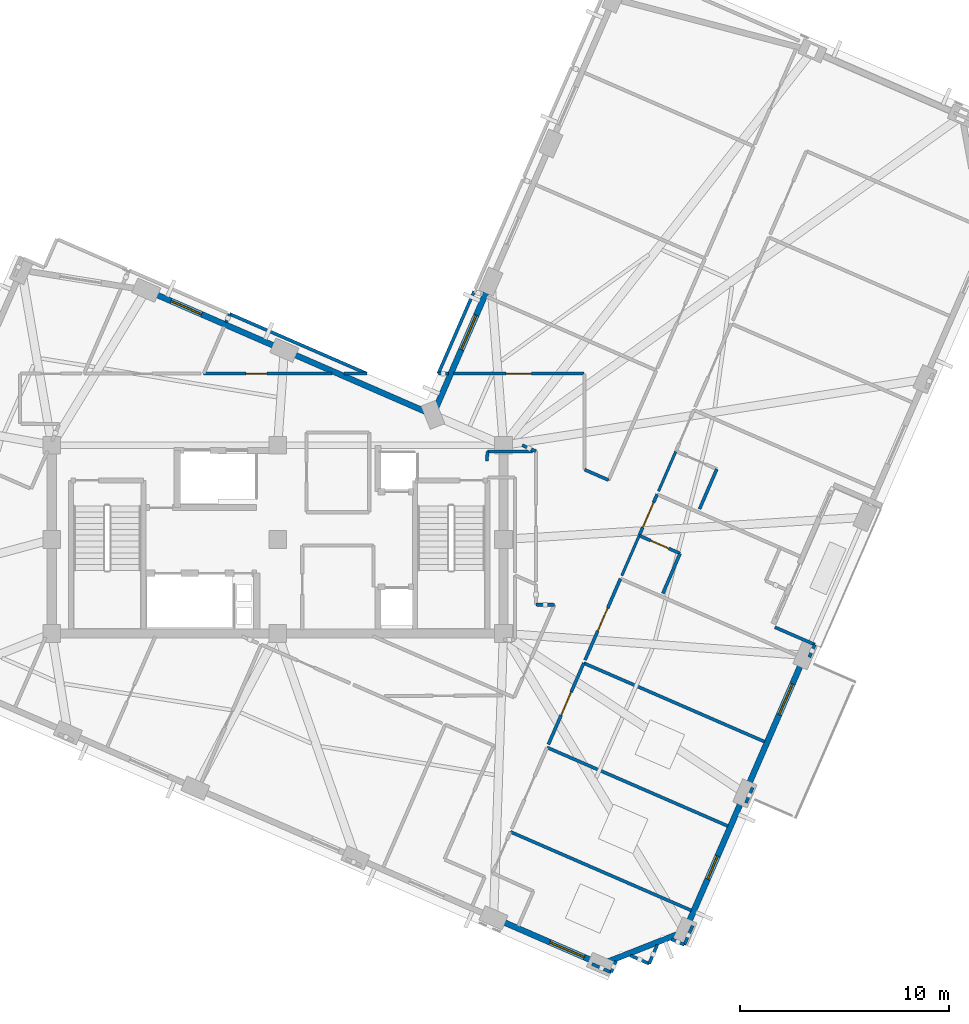
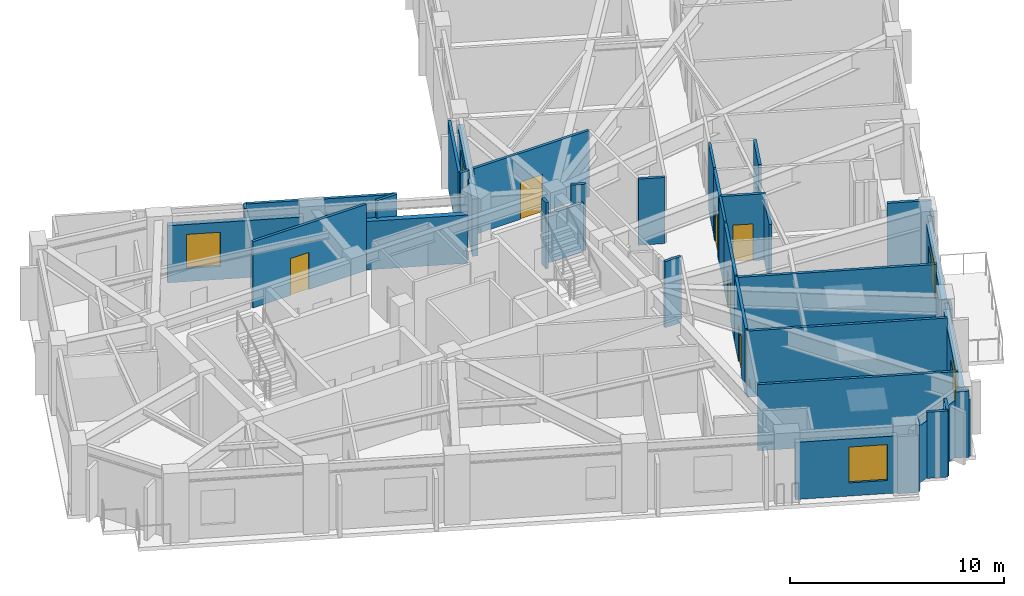
# One storey, part 6 of 11: 39 walls, 6 doors, 5 windows, 11 openings.
"""IFC4 building model written with IfcOpenShell, lengths in metres."""

from ifc_helpers import new_model, si_unit, direction, frame, frame_2d, origin, place, context, subcontext, project, spatial, rectangle, extrude, material, layer, layer_set, type_object, element, fill, save


model = new_model("IFC4")

# Units and contexts
model_context = context("Model", 3, precision=1e-05, world=origin(), true_north=direction((0.0, 1.0)))
body_context = subcontext(model_context, "Body", "Model", "MODEL_VIEW")
ifc_project = project(units=[si_unit("LENGTHUNIT", "METRE"), si_unit("AREAUNIT", "SQUARE_METRE"), si_unit("VOLUMEUNIT", "CUBIC_METRE"), si_unit("PLANEANGLEUNIT", "RADIAN"), si_unit("MASSUNIT", "GRAM", prefix="KILO")], contexts=[model_context])

# Site, building, storey
site_placement = place(None, origin())
site = spatial("IfcSite", under=ifc_project, at=site_placement, CompositionType="ELEMENT")
building_placement = place(site_placement, origin())
building = spatial("IfcBuilding", under=site, at=building_placement, Name="Gaonmaruhae Medical Tower", CompositionType="ELEMENT")
storey_placement = place(building_placement, frame((0.0, 0.0, 324.60009765625)))
storey = spatial("IfcBuildingStorey", under=building, at=storey_placement, Name="L78", CompositionType="ELEMENT", Elevation=324.60009765625)

# Wall, opening, window
ifc_material_1 = material(Name="Precast concrete C45/55", Category="concrete")
ifc_layer_1 = layer(ifc_material_1, 0.280029296875)
ifc_layer_set_1 = layer_set([ifc_layer_1], Name="Precast concrete C45/55")
wall_type_1 = type_object("IfcWallType", Name="EW-280 Upper Precast Masonry-Frame Facade Wall", PredefinedType="SOLIDWALL", material=ifc_layer_set_1)
wall_1_placement = place(storey_placement, frame((46.987548828125, -0.210205078125, 0.0), z_axis=(0.0, 0.0, 1.0), x_axis=(-0.398744230651, -0.917062178112, 0.0)))
wall_1 = element("IfcWall", 1, at=wall_1_placement, inside=storey, type_object=wall_type_1, Name="L78 Precast Masonry-Frame Wall S01-S02", PredefinedType="SOLIDWALL", context=body_context, shape_type="SweptSolid", body=[
    extrude(rectangle(XDim=6.405029296875, YDim=0.280029296875, at=frame_2d((3.20263671875, 0.0))), origin(), (0.0, 0.0, 1.0), 3.264892578125),
])
opening_1_placement = place(wall_1_placement, frame((2.88232421875, 0.0, 0.75)))
opening_1 = element("IfcOpeningElement", 2, at=opening_1_placement, cuts=wall_1, Name="Opening WN-05", PredefinedType="OPENING", context=body_context, shape_type="SweptSolid", body=[
    extrude(rectangle(XDim=1.199951171875, YDim=1.75, at=frame_2d((0.60009765625, 0.875))), frame((0.0, 0.14990234375, 0.0), z_axis=(0.0, -1.0, 0.0), x_axis=(1.0, 0.0, 0.0)), (0.0, 0.0, 1.0), 0.300048828125),
])
ifc_material_2 = material(Name="Anodised aluminium and Low-E double glazing", Category="aluminium")
window_type_1 = type_object("IfcWindowType", Name="WN-05 Support & Staff Punched Window 1200x1750", PartitioningType="SINGLE_PANEL", PredefinedType="WINDOW", material=ifc_material_2)
window_1_placement = place(opening_1_placement, origin())
window_1 = element("IfcWindow", 3, at=window_1_placement, inside=storey, type_object=window_type_1, Name="L78 Modular Facade Window S01", OverallHeight=1.75, OverallWidth=1.199951171875, PartitioningType="SINGLE_PANEL", PredefinedType="WINDOW", context=body_context, shape_type="SweptSolid", body=[
    extrude(rectangle(XDim=1.199951171875, YDim=1.75, at=frame_2d((0.60009765625, 0.875))), frame((0.0, 0.030029296875, 0.0), z_axis=(0.0, -1.0, 0.0), x_axis=(1.0, 0.0, 0.0)), (0.0, 0.0, 1.0), 0.06005859375),
])
fill(opening_1, window_1)

wall_2_placement = place(storey_placement, frame((49.858642578125, 6.392578125, 0.0), z_axis=(0.0, 0.0, 1.0), x_axis=(-0.398758169539, -0.917056117272, 0.0)))
wall_2 = element("IfcWall", 4, at=wall_2_placement, inside=storey, type_object=wall_type_1, Name="L78 Precast Masonry-Frame Wall S02-S03", PredefinedType="SOLIDWALL", context=body_context, shape_type="SweptSolid", body=[
    extrude(rectangle(XDim=6.40478515625, YDim=0.280029296875, at=frame_2d((3.202392578125, 0.0))), origin(), (0.0, 0.0, 1.0), 3.264892578125),
])
opening_2_placement = place(wall_2_placement, frame((1.09619140625, 0.0, 0.75)))
opening_2 = element("IfcOpeningElement", 5, at=opening_2_placement, cuts=wall_2, Name="Opening WN-01", PredefinedType="OPENING", context=body_context, shape_type="SweptSolid", body=[
    extrude(rectangle(XDim=1.60009765625, YDim=1.949951171875, at=frame_2d((0.800048828125, 0.97509765625))), frame((0.0, 0.14990234375, 0.0), z_axis=(0.0, -1.0, 0.0), x_axis=(1.0, 0.0, 0.0)), (0.0, 0.0, 1.0), 0.300048828125),
])
window_type_2 = type_object("IfcWindowType", Name="WN-01 Ward Punched Acoustic Window 1600x1950", PartitioningType="SINGLE_PANEL", PredefinedType="WINDOW", material=ifc_material_2)
window_2_placement = place(opening_2_placement, origin())
window_2 = element("IfcWindow", 6, at=window_2_placement, inside=storey, type_object=window_type_2, Name="L78 Modular Facade Window S02", OverallHeight=1.949951171875, OverallWidth=1.60009765625, PartitioningType="SINGLE_PANEL", PredefinedType="WINDOW", context=body_context, shape_type="SweptSolid", body=[
    extrude(rectangle(XDim=1.60009765625, YDim=1.949951171875, at=frame_2d((0.800048828125, 0.97509765625))), frame((0.0, 0.030029296875, 0.0), z_axis=(0.0, -1.0, 0.0), x_axis=(1.0, 0.0, 0.0)), (0.0, 0.0, 1.0), 0.06005859375),
])
fill(opening_2, window_2)

wall_3_placement = place(storey_placement, frame((32.384765625, 18.619384765625, 0.0), z_axis=(0.0, 0.0, 1.0), x_axis=(0.398753668733, 0.917058074318, 0.0)))
wall_3 = element("IfcWall", 7, at=wall_3_placement, inside=storey, type_object=wall_type_1, Name="L78 Precast Masonry-Frame Wall EN02-KN01", PredefinedType="SOLIDWALL", context=body_context, shape_type="SweptSolid", body=[
    extrude(rectangle(XDim=6.155029296875, YDim=0.280029296875, at=frame_2d((3.07763671875, 0.0))), origin(), (0.0, 0.0, 1.0), 3.264892578125),
])
opening_3_placement = place(wall_3_placement, frame((3.00390625, 0.0, 0.75)))
opening_3 = element("IfcOpeningElement", 8, at=opening_3_placement, cuts=wall_3, Name="Opening WN-04", PredefinedType="OPENING", context=body_context, shape_type="SweptSolid", body=[
    extrude(rectangle(XDim=1.800048828125, YDim=2.050048828125, at=frame_2d((0.89990234375, 1.02490234375))), frame((0.0, 0.14990234375, 0.0), z_axis=(0.0, -1.0, 0.0), x_axis=(1.0, 0.0, 0.0)), (0.0, 0.0, 1.0), 0.300048828125),
])
window_type_3 = type_object("IfcWindowType", Name="WN-04 Clinic & Consult Punched Window 1800x2050", PartitioningType="SINGLE_PANEL", PredefinedType="WINDOW", material=ifc_material_2)
window_3_placement = place(opening_3_placement, origin())
window_3 = element("IfcWindow", 9, at=window_3_placement, inside=storey, type_object=window_type_3, Name="L78 Modular Facade Window EN02", OverallHeight=2.050048828125, OverallWidth=1.800048828125, PartitioningType="SINGLE_PANEL", PredefinedType="WINDOW", context=body_context, shape_type="SweptSolid", body=[
    extrude(rectangle(XDim=1.800048828125, YDim=2.050048828125, at=frame_2d((0.89990234375, 1.02490234375))), frame((0.0, 0.030029296875, 0.0), z_axis=(0.0, -1.0, 0.0), x_axis=(1.0, 0.0, 0.0)), (0.0, 0.0, 1.0), 0.06005859375),
])
fill(opening_3, window_3)

# Wall
wall_4_placement = place(storey_placement, frame((25.483642578125, 21.186767578125, 0.0), z_axis=(0.0, 0.0, 1.0), x_axis=(0.917060568388, -0.398747932794, 0.0)))
element("IfcWall", 10, at=wall_4_placement, inside=storey, type_object=wall_type_1, Name="L78 Precast Masonry-Frame Wall KN01-NE01", PredefinedType="SOLIDWALL", context=body_context, shape_type="SweptSolid", body=[
    extrude(rectangle(XDim=6.954833984375, YDim=0.280029296875, at=frame_2d((3.4775390625, 0.0))), origin(), (0.0, 0.0, 1.0), 2.764892578125),
])

# Wall, opening, window
wall_5_placement = place(storey_placement, frame((18.880859375, 24.0576171875, 0.0), z_axis=(0.0, 0.0, 1.0), x_axis=(0.917070056253, -0.398726111414, 0.0)))
wall_5 = element("IfcWall", 11, at=wall_5_placement, inside=storey, type_object=wall_type_1, Name="L78 Precast Masonry-Frame Wall NE01-NE02", PredefinedType="SOLIDWALL", context=body_context, shape_type="SweptSolid", body=[
    extrude(rectangle(XDim=6.40478515625, YDim=0.280029296875, at=frame_2d((3.202392578125, 0.0))), origin(), (0.0, 0.0, 1.0), 3.264892578125),
])
opening_4_placement = place(wall_5_placement, frame((0.89111328125, 0.0, 0.75)))
opening_4 = element("IfcOpeningElement", 12, at=opening_4_placement, cuts=wall_5, Name="Opening WN-01", PredefinedType="OPENING", context=body_context, shape_type="SweptSolid", body=[
    extrude(rectangle(XDim=1.60009765625, YDim=1.949951171875, at=frame_2d((0.800048828125, 0.97509765625))), frame((0.0, 0.14990234375, 0.0), z_axis=(0.0, -1.0, 0.0), x_axis=(1.0, 0.0, 0.0)), (0.0, 0.0, 1.0), 0.300048828125),
])
window_4_placement = place(opening_4_placement, origin())
window_4 = element("IfcWindow", 13, at=window_4_placement, inside=storey, type_object=window_type_2, Name="L78 Modular Facade Window NE01", OverallHeight=1.949951171875, OverallWidth=1.60009765625, PartitioningType="SINGLE_PANEL", PredefinedType="WINDOW", context=body_context, shape_type="SweptSolid", body=[
    extrude(rectangle(XDim=1.60009765625, YDim=1.949951171875, at=frame_2d((0.800048828125, 0.97509765625))), frame((0.0, 0.030029296875, 0.0), z_axis=(0.0, -1.0, 0.0), x_axis=(1.0, 0.0, 0.0)), (0.0, 0.0, 1.0), 0.06005859375),
])
fill(opening_4, window_4)

wall_6_placement = place(storey_placement, frame((39.897216796875, -7.870849609375, 0.0), z_axis=(0.0, 0.0, 1.0), x_axis=(-0.917050667534, 0.398770702505, 0.0)))
wall_6 = element("IfcWall", 14, at=wall_6_placement, inside=storey, type_object=wall_type_1, Name="L78 Precast Masonry-Frame Wall W05-W06", PredefinedType="SOLIDWALL", context=body_context, shape_type="SweptSolid", body=[
    extrude(rectangle(XDim=4.8046875, YDim=0.280029296875, at=frame_2d((2.40234375, 0.0))), origin(), (0.0, 0.0, 1.0), 3.264892578125),
])
opening_5_placement = place(wall_6_placement, frame((0.469970703125, 0.0, 0.75)))
opening_5 = element("IfcOpeningElement", 15, at=opening_5_placement, cuts=wall_6, Name="Opening WN-04", PredefinedType="OPENING", context=body_context, shape_type="SweptSolid", body=[
    extrude(rectangle(XDim=1.800048828125, YDim=2.050048828125, at=frame_2d((0.89990234375, 1.02490234375))), frame((0.0, 0.14990234375, 0.0), z_axis=(0.0, -1.0, 0.0), x_axis=(1.0, 0.0, 0.0)), (0.0, 0.0, 1.0), 0.300048828125),
])
window_5_placement = place(opening_5_placement, origin())
window_5 = element("IfcWindow", 16, at=window_5_placement, inside=storey, type_object=window_type_3, Name="L78 Patient Bedroom Window L78-BR01", OverallHeight=2.050048828125, OverallWidth=1.800048828125, PartitioningType="SINGLE_PANEL", PredefinedType="WINDOW", context=body_context, shape_type="SweptSolid", body=[
    extrude(rectangle(XDim=1.800048828125, YDim=2.050048828125, at=frame_2d((0.89990234375, 1.02490234375))), frame((0.0, 0.030029296875, 0.0), z_axis=(0.0, -1.0, 0.0), x_axis=(1.0, 0.0, 0.0)), (0.0, 0.0, 1.0), 0.06005859375),
])
fill(opening_5, window_5)

# Walls
wall_7_placement = place(storey_placement, frame((43.9052734375, -6.593994140625, 0.0), z_axis=(0.0, 0.0, 1.0), x_axis=(-0.930406958637, -0.366528158974, 0.0)))
element("IfcWall", 17, at=wall_7_placement, inside=storey, type_object=wall_type_1, Name="L78 Precast Masonry-Frame Wall W06-S01", PredefinedType="SOLIDWALL", context=body_context, shape_type="SweptSolid", body=[
    extrude(rectangle(XDim=3.518310546875, YDim=0.280029296875, at=frame_2d((1.75927734375, 0.0))), origin(), (0.0, 0.0, 1.0), 3.264892578125),
])
ifc_material_3 = material(Name="Gypsum board partition", Category="gypsum")
ifc_layer_2 = layer(ifc_material_3, 0.125)
ifc_layer_set_2 = layer_set([ifc_layer_2], Name="Gypsum board partition")
wall_type_2 = type_object("IfcWallType", Name="PW-125 Ward & En-Suite Acoustic Partition", PredefinedType="PARTITIONING", material=ifc_layer_set_2)
wall_8_placement = place(storey_placement, frame((41.259033203125, 10.56494140625, 0.0), z_axis=(0.0, 0.0, 1.0), x_axis=(0.398808011477, 0.917034443182, 0.0)))
element("IfcWall", 18, at=wall_8_placement, inside=storey, type_object=wall_type_2, Name="L78 Interior Partition L78-ENS02-33", PredefinedType="PARTITIONING", context=body_context, shape_type="SweptSolid", body=[
    extrude(rectangle(XDim=2.071044921875, YDim=0.125, at=frame_2d((1.03564453125, 0.0))), origin(), (0.0, 0.0, 1.0), 3.77978515625),
])
wall_9_placement = place(storey_placement, frame((43.013916015625, 14.60009765625, 0.0), z_axis=(0.0, 0.0, 1.0), x_axis=(0.398553636867, 0.917145025904, 0.0)))
element("IfcWall", 19, at=wall_9_placement, inside=storey, type_object=wall_type_2, Name="L78 Interior Partition L78-ENS03-38", PredefinedType="PARTITIONING", context=body_context, shape_type="SweptSolid", body=[
    extrude(rectangle(XDim=2.070556640625, YDim=0.125, at=frame_2d((1.03515625, 0.0))), origin(), (0.0, 0.0, 1.0), 3.77978515625),
])
ifc_layer_3 = layer(ifc_material_3, 0.14990234375)
ifc_layer_set_3 = layer_set([ifc_layer_3], Name="Gypsum board partition")
wall_type_3 = type_object("IfcWallType", Name="PW-150 Rated Clinical Corridor Partition", PredefinedType="PARTITIONING", material=ifc_layer_set_3)
wall_10_placement = place(storey_placement, frame((35.931884765625, -1.68701171875, 0.0), z_axis=(0.0, 0.0, 1.0), x_axis=(0.917117358566, -0.398617298443, 0.0)))
element("IfcWall", 20, at=wall_10_placement, inside=storey, type_object=wall_type_3, Name="L78 Interior Partition L78-BR01-10", PredefinedType="PARTITIONING", context=body_context, shape_type="SweptSolid", body=[
    extrude(rectangle(XDim=9.43505859375, YDim=0.14990234375, at=frame_2d((4.717529296875, 0.0))), origin(), (0.0, 0.0, 1.0), 3.77978515625),
])
wall_11_placement = place(storey_placement, frame((44.64501953125, -6.176025390625, 0.0), z_axis=(0.0, 0.0, 1.0), x_axis=(-0.399173799485, -0.916875279307, 0.0)))
element("IfcWall", 21, at=wall_11_placement, inside=storey, type_object=wall_type_3, Name="L78 Interior Partition L78-BR01-11", PredefinedType="PARTITIONING", context=body_context, shape_type="SweptSolid", body=[
    extrude(rectangle(XDim=0.996826171875, YDim=0.14990234375, at=frame_2d((0.49853515625, 0.0))), origin(), (0.0, 0.0, 1.0), 3.264892578125),
])
wall_12_placement = place(storey_placement, frame((44.2470703125, -7.090087890625, 0.0), z_axis=(0.0, 0.0, 1.0), x_axis=(-0.917070056253, 0.398726111414, 0.0)))
element("IfcWall", 22, at=wall_12_placement, inside=storey, type_object=wall_type_3, Name="L78 Interior Partition L78-BR01-12", PredefinedType="PARTITIONING", context=body_context, shape_type="SweptSolid", body=[
    extrude(rectangle(XDim=0.66748046875, YDim=0.14990234375, at=frame_2d((0.333740234375, 0.0))), origin(), (0.0, 0.0, 1.0), 3.77978515625),
])
wall_13_placement = place(storey_placement, frame((42.9609375, -7.090087890625, 0.0), z_axis=(0.0, 0.0, 1.0), x_axis=(-0.399196346623, -0.916865462782, 0.0)))
element("IfcWall", 23, at=wall_13_placement, inside=storey, type_object=wall_type_3, Name="L78 Interior Partition L78-BR01-13", PredefinedType="PARTITIONING", context=body_context, shape_type="SweptSolid", body=[
    extrude(rectangle(XDim=0.987060546875, YDim=0.14990234375, at=frame_2d((0.49365234375, 0.0))), origin(), (0.0, 0.0, 1.0), 3.77978515625),
])
wall_14_placement = place(storey_placement, frame((42.56689453125, -7.9951171875, 0.0), z_axis=(0.0, 0.0, 1.0), x_axis=(-0.917188054541, 0.398454605454, 0.0)))
element("IfcWall", 24, at=wall_14_placement, inside=storey, type_object=wall_type_3, Name="L78 Interior Partition L78-BR01-14", PredefinedType="PARTITIONING", context=body_context, shape_type="SweptSolid", body=[
    extrude(rectangle(XDim=0.986572265625, YDim=0.14990234375, at=frame_2d((0.4931640625, 0.0))), origin(), (0.0, 0.0, 1.0), 3.77978515625),
])
wall_15_placement = place(storey_placement, frame((40.986083984375, -7.867919921875, 0.0), z_axis=(0.0, 0.0, 1.0), x_axis=(-0.398984716546, -0.916957575879, 0.0)))
element("IfcWall", 25, at=wall_15_placement, inside=storey, type_object=wall_type_3, Name="L78 Interior Partition L78-BR01-15", PredefinedType="PARTITIONING", context=body_context, shape_type="SweptSolid", body=[
    extrude(rectangle(XDim=0.5869140625, YDim=0.14990234375, at=frame_2d((0.29345703125, 0.0))), origin(), (0.0, 0.0, 1.0), 3.77978515625),
])
wall_16_placement = place(storey_placement, frame((40.751953125, -8.406005859375, 0.0), z_axis=(0.0, 0.0, 1.0), x_axis=(-0.916875279307, 0.399173799485, 0.0)))
element("IfcWall", 26, at=wall_16_placement, inside=storey, type_object=wall_type_3, Name="L78 Interior Partition L78-BR01-16", PredefinedType="PARTITIONING", context=body_context, shape_type="SweptSolid", body=[
    extrude(rectangle(XDim=0.996826171875, YDim=0.14990234375, at=frame_2d((0.49853515625, 0.0))), origin(), (0.0, 0.0, 1.0), 3.264892578125),
])
wall_17_placement = place(storey_placement, frame((37.68603515625, 2.347900390625, 0.0), z_axis=(0.0, 0.0, 1.0), x_axis=(0.917079517358, -0.398704350167, 0.0)))
element("IfcWall", 27, at=wall_17_placement, inside=storey, type_object=wall_type_3, Name="L78 Interior Partition L78-SUP01-19", PredefinedType="PARTITIONING", context=body_context, shape_type="SweptSolid", body=[
    extrude(rectangle(XDim=9.435546875, YDim=0.14990234375, at=frame_2d((4.7177734375, 0.0))), origin(), (0.0, 0.0, 1.0), 3.77978515625),
])

# Wall, opening, door
wall_18_placement = place(storey_placement, frame((37.75, 2.4951171875, 0.0), z_axis=(0.0, 0.0, 1.0), x_axis=(0.398827178626, 0.917026107365, 0.0)))
wall_18 = element("IfcWall", 28, at=wall_18_placement, inside=storey, type_object=wall_type_3, Name="L78 Interior Partition L78-SUP02-20", PredefinedType="PARTITIONING", context=body_context, shape_type="SweptSolid", body=[
    extrude(rectangle(XDim=4.23974609375, YDim=0.14990234375, at=frame_2d((2.119873046875, 0.0))), origin(), (0.0, 0.0, 1.0), 3.77978515625),
])
opening_6_placement = place(wall_18_placement, frame((1.52001953125, 0.0, 0.0)))
opening_6 = element("IfcOpeningElement", 29, at=opening_6_placement, cuts=wall_18, Name="Opening CD-02", PredefinedType="OPENING", context=body_context, shape_type="SweptSolid", body=[
    extrude(rectangle(XDim=1.199951171875, YDim=2.14990234375, at=frame_2d((0.60009765625, 1.074951171875))), frame((0.0, 0.0849609375, 0.0), z_axis=(0.0, -1.0, 0.0), x_axis=(1.0, 0.0, 0.0)), (0.0, 0.0, 1.0), 0.169921875),
])
ifc_material_4 = material(Name="Antimicrobial laminate timber fire door", Category="wood")
door_type_1 = type_object("IfcDoorType", Name="CD-02 Clinical Treatment & Procedure Door 1200x2150", OperationType="NOTDEFINED", PredefinedType="DOOR", material=ifc_material_4)
door_1_placement = place(opening_6_placement, origin())
door_1 = element("IfcDoor", 30, at=door_1_placement, inside=storey, type_object=door_type_1, Name="L78 Clinical Biomedical Charting Office Door", OperationType="SINGLE_SWING_RIGHT", OverallHeight=2.14990234375, OverallWidth=1.199951171875, PredefinedType="DOOR", context=body_context, shape_type="SweptSolid", body=[
    extrude(rectangle(XDim=1.199951171875, YDim=2.14990234375, at=frame_2d((0.60009765625, 1.074951171875))), frame((0.0, 0.02490234375, 0.0), z_axis=(0.0, -1.0, 0.0), x_axis=(1.0, 0.0, 0.0)), (0.0, 0.0, 1.0), 0.050048828125),
])
fill(opening_6, door_1)

# Walls
wall_19_placement = place(storey_placement, frame((39.44091796875, 6.383056640625, 0.0), z_axis=(0.0, 0.0, 1.0), x_axis=(0.91710090998, -0.398655140333, 0.0)))
element("IfcWall", 31, at=wall_19_placement, inside=storey, type_object=wall_type_3, Name="L78 Interior Partition L78-SUP02-21", PredefinedType="PARTITIONING", context=body_context, shape_type="SweptSolid", body=[
    extrude(rectangle(XDim=9.43408203125, YDim=0.14990234375, at=frame_2d((4.717041015625, 0.0))), origin(), (0.0, 0.0, 1.0), 3.77978515625),
])
wall_20_placement = place(storey_placement, frame((47.51611328125, 0.427001953125, 0.0), z_axis=(0.0, 0.0, 1.0), x_axis=(-0.398916999953, -0.916987037612, 0.0)))
element("IfcWall", 32, at=wall_20_placement, inside=storey, type_object=wall_type_3, Name="L78 Interior Partition L78-SUP02-22", PredefinedType="PARTITIONING", context=body_context, shape_type="SweptSolid", body=[
    extrude(rectangle(XDim=0.794921875, YDim=0.14990234375, at=frame_2d((0.3974609375, 0.0))), origin(), (0.0, 0.0, 1.0), 3.264892578125),
])

# Wall, opening, door
wall_21_placement = place(storey_placement, frame((39.5048828125, 6.530029296875, 0.0), z_axis=(0.0, 0.0, 1.0), x_axis=(0.398597683129, 0.917125883946, 0.0)))
wall_21 = element("IfcWall", 33, at=wall_21_placement, inside=storey, type_object=wall_type_3, Name="L78 Interior Partition L78-SUP03-23", PredefinedType="PARTITIONING", context=body_context, shape_type="SweptSolid", body=[
    extrude(rectangle(XDim=4.240234375, YDim=0.14990234375, at=frame_2d((2.1201171875, 0.0))), origin(), (0.0, 0.0, 1.0), 3.77978515625),
])
opening_7_placement = place(wall_21_placement, frame((1.520263671875, 0.0, 0.0)))
opening_7 = element("IfcOpeningElement", 34, at=opening_7_placement, cuts=wall_21, Name="Opening CD-02", PredefinedType="OPENING", context=body_context, shape_type="SweptSolid", body=[
    extrude(rectangle(XDim=1.199951171875, YDim=2.14990234375, at=frame_2d((0.60009765625, 1.074951171875))), frame((0.0, 0.0849609375, 0.0), z_axis=(0.0, -1.0, 0.0), x_axis=(1.0, 0.0, 0.0)), (0.0, 0.0, 1.0), 0.169921875),
])
door_2_placement = place(opening_7_placement, origin())
door_2 = element("IfcDoor", 35, at=door_2_placement, inside=storey, type_object=door_type_1, Name="L78 Clinical Biomedical Charting Office Door", OperationType="SINGLE_SWING_LEFT", OverallHeight=2.14990234375, OverallWidth=1.199951171875, PredefinedType="DOOR", context=body_context, shape_type="SweptSolid", body=[
    extrude(rectangle(XDim=1.199951171875, YDim=2.14990234375, at=frame_2d((0.60009765625, 1.074951171875))), frame((0.0, 0.02490234375, 0.0), z_axis=(0.0, -1.0, 0.0), x_axis=(1.0, 0.0, 0.0)), (0.0, 0.0, 1.0), 0.050048828125),
])
fill(opening_7, door_2)

# Wall
wall_22_placement = place(storey_placement, frame((43.221923828125, 9.7119140625, 0.0), z_axis=(0.0, 0.0, 1.0), x_axis=(0.395897468888, 0.918294720734, 0.0)))
element("IfcWall", 36, at=wall_22_placement, inside=storey, type_object=wall_type_3, Name="L78 Interior Partition L78-BR02-25", PredefinedType="PARTITIONING", context=body_context, shape_type="SweptSolid", body=[
    extrude(rectangle(XDim=2.08447265625, YDim=0.14990234375, at=frame_2d((1.042236328125, 0.0))), origin(), (0.0, 0.0, 1.0), 3.414794921875),
])

# Wall, opening, door
wall_23_placement = place(storey_placement, frame((44.047119140625, 11.6259765625, 0.0), z_axis=(0.0, 0.0, 1.0), x_axis=(-0.915978642335, 0.40122702649, 0.0)))
wall_23 = element("IfcWall", 37, at=wall_23_placement, inside=storey, type_object=wall_type_3, Name="L78 Interior Partition L78-BR02-26", PredefinedType="PARTITIONING", context=body_context, shape_type="SweptSolid", body=[
    extrude(rectangle(XDim=2.13330078125, YDim=0.14990234375, at=frame_2d((1.066650390625, 0.0))), origin(), (0.0, 0.0, 1.0), 3.77978515625),
])
opening_8_placement = place(wall_23_placement, frame((0.591552734375, 0.0, 0.0)))
opening_8 = element("IfcOpeningElement", 38, at=opening_8_placement, cuts=wall_23, Name="Opening ED-01", PredefinedType="OPENING", context=body_context, shape_type="SweptSolid", body=[
    extrude(rectangle(XDim=0.949951171875, YDim=2.10009765625, at=frame_2d((0.47509765625, 1.050048828125))), frame((0.0, 0.0849609375, 0.0), z_axis=(0.0, -1.0, 0.0), x_axis=(1.0, 0.0, 0.0)), (0.0, 0.0, 1.0), 0.169921875),
])
ifc_material_5 = material(Name="Moisture-resistant HPL hospital door", Category="wood")
door_type_2 = type_object("IfcDoorType", Name="ED-01 Patient En-Suite Bathroom Door 950x2100", OperationType="NOTDEFINED", PredefinedType="DOOR", material=ifc_material_5)
door_3_placement = place(opening_8_placement, origin())
door_3 = element("IfcDoor", 39, at=door_3_placement, inside=storey, type_object=door_type_2, Name="L78 Patient En-Suite Bathroom Door", OperationType="SINGLE_SWING_LEFT", OverallHeight=2.10009765625, OverallWidth=0.949951171875, PredefinedType="DOOR", context=body_context, shape_type="SweptSolid", body=[
    extrude(rectangle(XDim=0.949951171875, YDim=2.10009765625, at=frame_2d((0.47509765625, 1.050048828125))), frame((0.0, 0.02490234375, 0.0), z_axis=(0.0, -1.0, 0.0), x_axis=(1.0, 0.0, 0.0)), (0.0, 0.0, 1.0), 0.050048828125),
])
fill(opening_8, door_3)

wall_24_placement = place(storey_placement, frame((42.093017578125, 12.48193359375, 0.0), z_axis=(0.0, 0.0, 1.0), x_axis=(0.398518519728, 0.917160285574, 0.0)))
wall_24 = element("IfcWall", 40, at=wall_24_placement, inside=storey, type_object=wall_type_3, Name="L78 Interior Partition L78-BR02-27", PredefinedType="PARTITIONING", context=body_context, shape_type="SweptSolid", body=[
    extrude(rectangle(XDim=2.150390625, YDim=0.14990234375, at=frame_2d((1.0751953125, 0.0))), origin(), (0.0, 0.0, 1.0), 3.77978515625),
])
opening_9_placement = place(wall_24_placement, frame((0.425048828125, 0.0, 0.0)))
opening_9 = element("IfcOpeningElement", 41, at=opening_9_placement, cuts=wall_24, Name="Opening WD-02", PredefinedType="OPENING", context=body_context, shape_type="SweptSolid", body=[
    extrude(rectangle(XDim=1.300048828125, YDim=2.14990234375, at=frame_2d((0.64990234375, 1.074951171875))), frame((0.0, 0.0849609375, 0.0), z_axis=(0.0, -1.0, 0.0), x_axis=(1.0, 0.0, 0.0)), (0.0, 0.0, 1.0), 0.169921875),
])
door_type_3 = type_object("IfcDoorType", Name="WD-02 Isolation & ICU Patient Room Door 1300x2150", OperationType="NOTDEFINED", PredefinedType="DOOR", material=ifc_material_4)
door_4_placement = place(opening_9_placement, origin())
door_4 = element("IfcDoor", 42, at=door_4_placement, inside=storey, type_object=door_type_3, Name="L78 Single Isolation Patient Bedroom Door", OperationType="SINGLE_SWING_RIGHT", OverallHeight=2.14990234375, OverallWidth=1.300048828125, PredefinedType="DOOR", context=body_context, shape_type="SweptSolid", body=[
    extrude(rectangle(XDim=1.300048828125, YDim=2.14990234375, at=frame_2d((0.64990234375, 1.074951171875))), frame((0.0, 0.02490234375, 0.0), z_axis=(0.0, -1.0, 0.0), x_axis=(1.0, 0.0, 0.0)), (0.0, 0.0, 1.0), 0.050048828125),
])
fill(opening_9, door_4)

# Walls
wall_25_placement = place(storey_placement, frame((48.5830078125, 8.097900390625, 0.0), z_axis=(0.0, 0.0, 1.0), x_axis=(0.917116716698, -0.398618775213, 0.0)))
element("IfcWall", 43, at=wall_25_placement, inside=storey, type_object=wall_type_3, Name="L78 Interior Partition L78-BR02-31", PredefinedType="PARTITIONING", context=body_context, shape_type="SweptSolid", body=[
    extrude(rectangle(XDim=2.079345703125, YDim=0.14990234375, at=frame_2d((1.03955078125, 0.0))), origin(), (0.0, 0.0, 1.0), 3.77978515625),
])
wall_26_placement = place(storey_placement, frame((50.489990234375, 7.26904296875, 0.0), z_axis=(0.0, 0.0, 1.0), x_axis=(-0.398440950443, -0.917193986575, 0.0)))
element("IfcWall", 44, at=wall_26_placement, inside=storey, type_object=wall_type_3, Name="L78 Interior Partition L78-BR02-32", PredefinedType="PARTITIONING", context=body_context, shape_type="SweptSolid", body=[
    extrude(rectangle(XDim=0.657470703125, YDim=0.14990234375, at=frame_2d((0.32861328125, 0.0))), origin(), (0.0, 0.0, 1.0), 3.264892578125),
])
wall_27_placement = place(storey_placement, frame((44.97607421875, 13.7470703125, 0.0), z_axis=(0.0, 0.0, 1.0), x_axis=(0.396236327193, 0.918148557159, 0.0)))
element("IfcWall", 45, at=wall_27_placement, inside=storey, type_object=wall_type_3, Name="L78 Interior Partition L78-BR03-34", PredefinedType="PARTITIONING", context=body_context, shape_type="SweptSolid", body=[
    extrude(rectangle(XDim=2.08447265625, YDim=0.14990234375, at=frame_2d((1.042236328125, 0.0))), origin(), (0.0, 0.0, 1.0), 3.77978515625),
])
wall_28_placement = place(storey_placement, frame((37.160888671875, 9.177001953125, 0.0), z_axis=(0.0, 0.0, 1.0), x_axis=(0.999967192089, -0.008100292897, 0.0)))
element("IfcWall", 46, at=wall_28_placement, inside=storey, type_object=wall_type_3, Name="L78 Interior Partition L78-IE01-77", PredefinedType="PARTITIONING", context=body_context, shape_type="SweptSolid", body=[
    extrude(rectangle(XDim=0.8740234375, YDim=0.14990234375, at=frame_2d((0.43701171875, 0.0))), origin(), (0.0, 0.0, 1.0), 3.77978515625),
])
wall_29_placement = place(storey_placement, frame((34.803955078125, 16.050048828125, 0.0), z_axis=(0.0, 0.0, 1.0), x_axis=(0.077896068279, 0.996961484987, 0.0)))
element("IfcWall", 47, at=wall_29_placement, inside=storey, type_object=wall_type_3, Name="L78 Interior Partition L78-IE02-82", PredefinedType="PARTITIONING", context=body_context, shape_type="SweptSolid", body=[
    extrude(rectangle(XDim=0.451416015625, YDim=0.14990234375, at=frame_2d((0.2255859375, 0.0))), origin(), (0.0, 0.0, 1.0), 3.77978515625),
])
wall_30_placement = place(storey_placement, frame((34.839111328125, 16.5, 0.0), z_axis=(0.0, 0.0, 1.0), x_axis=(1.0, 0.0, 0.0)))
element("IfcWall", 48, at=wall_30_placement, inside=storey, type_object=wall_type_3, Name="L78 Interior Partition L78-IE02-83", PredefinedType="PARTITIONING", context=body_context, shape_type="SweptSolid", body=[
    extrude(rectangle(XDim=2.15087890625, YDim=0.14990234375, at=frame_2d((1.075439453125, 0.0))), origin(), (0.0, 0.0, 1.0), 2.764892578125),
])
wall_31_placement = place(storey_placement, frame((36.5, 16.799072265625, 0.0), z_axis=(0.0, 0.0, 1.0), x_axis=(0.916867333156, -0.399192050762, 0.0)))
element("IfcWall", 49, at=wall_31_placement, inside=storey, type_object=wall_type_3, Name="L78 Interior Partition L78-IE02-84", PredefinedType="PARTITIONING", context=body_context, shape_type="SweptSolid", body=[
    extrude(rectangle(XDim=0.708740234375, YDim=0.14990234375, at=frame_2d((0.3544921875, 0.0))), origin(), (0.0, 0.0, 1.0), 3.77978515625),
])

# Wall, opening, door
wall_32_placement = place(storey_placement, frame((39.449951171875, 20.22998046875, 0.0), z_axis=(0.0, 0.0, 1.0), x_axis=(-1.0, 0.0, 0.0)))
wall_32 = element("IfcWall", 50, at=wall_32_placement, inside=storey, type_object=wall_type_3, Name="L78 Interior Partition L78-IE03-88", PredefinedType="PARTITIONING", context=body_context, shape_type="SweptSolid", body=[
    extrude(rectangle(XDim=6.239990234375, YDim=0.14990234375, at=frame_2d((3.1201171875, 0.0))), origin(), (0.0, 0.0, 1.0), 3.77978515625),
])
opening_10_placement = place(wall_32_placement, frame((2.52001953125, 0.0, 0.0)))
opening_10 = element("IfcOpeningElement", 51, at=opening_10_placement, cuts=wall_32, Name="Opening CD-02", PredefinedType="OPENING", context=body_context, shape_type="SweptSolid", body=[
    extrude(rectangle(XDim=1.199951171875, YDim=2.14990234375, at=frame_2d((0.60009765625, 1.074951171875))), frame((0.0, 0.0849609375, 0.0), z_axis=(0.0, -1.0, 0.0), x_axis=(1.0, 0.0, 0.0)), (0.0, 0.0, 1.0), 0.169921875),
])
door_5_placement = place(opening_10_placement, origin())
door_5 = element("IfcDoor", 52, at=door_5_placement, inside=storey, type_object=door_type_1, Name="L78 Clean Medication Preparation Room Door", OperationType="SINGLE_SWING_LEFT", OverallHeight=2.14990234375, OverallWidth=1.199951171875, PredefinedType="DOOR", context=body_context, shape_type="SweptSolid", body=[
    extrude(rectangle(XDim=1.199951171875, YDim=2.14990234375, at=frame_2d((0.60009765625, 1.074951171875))), frame((0.0, 0.02490234375, 0.0), z_axis=(0.0, -1.0, 0.0), x_axis=(1.0, 0.0, 0.0)), (0.0, 0.0, 1.0), 0.050048828125),
])
fill(opening_10, door_5)

# Walls
wall_33_placement = place(storey_placement, frame((32.9599609375, 20.22998046875, 0.0), z_axis=(0.0, 0.0, 1.0), x_axis=(-1.0, 0.0, 0.0)))
element("IfcWall", 53, at=wall_33_placement, inside=storey, type_object=wall_type_3, Name="L78 Interior Partition L78-IE03-89", PredefinedType="PARTITIONING", context=body_context, shape_type="SweptSolid", body=[
    extrude(rectangle(XDim=0.474853515625, YDim=0.14990234375, at=frame_2d((0.2373046875, 0.0))), origin(), (0.0, 0.0, 1.0), 3.77978515625),
])
wall_34_placement = place(storey_placement, frame((32.485107421875, 20.22998046875, 0.0), z_axis=(0.0, 0.0, 1.0), x_axis=(0.398784305347, 0.917044752348, 0.0)))
element("IfcWall", 54, at=wall_34_placement, inside=storey, type_object=wall_type_3, Name="L78 Interior Partition L78-IE03-90", PredefinedType="PARTITIONING", context=body_context, shape_type="SweptSolid", body=[
    extrude(rectangle(XDim=4.295166015625, YDim=0.14990234375, at=frame_2d((2.1474609375, 0.0))), origin(), (0.0, 0.0, 1.0), 3.77978515625),
])
wall_35_placement = place(storey_placement, frame((40.62890625, 15.134033203125, 0.0), z_axis=(0.0, 0.0, 1.0), x_axis=(-0.916933705125, 0.399039572481, 0.0)))
element("IfcWall", 55, at=wall_35_placement, inside=storey, type_object=wall_type_3, Name="L78 Interior Partition L78-IE03-94", PredefinedType="PARTITIONING", context=body_context, shape_type="SweptSolid", body=[
    extrude(rectangle(XDim=1.2529296875, YDim=0.14990234375, at=frame_2d((0.62646484375, 0.0))), origin(), (0.0, 0.0, 1.0), 3.77978515625),
])
wall_36_placement = place(storey_placement, frame((22.3310546875, 22.68310546875, 0.0), z_axis=(0.0, 0.0, 1.0), x_axis=(0.399464528742, 0.916748651636, 0.0)))
element("IfcWall", 56, at=wall_36_placement, inside=storey, type_object=wall_type_3, Name="L78 Interior Partition L78-IN01-110", PredefinedType="PARTITIONING", context=body_context, shape_type="SweptSolid", body=[
    extrude(rectangle(XDim=0.43505859375, YDim=0.14990234375, at=frame_2d((0.217529296875, 0.0))), origin(), (0.0, 0.0, 1.0), 3.77978515625),
])
wall_37_placement = place(storey_placement, frame((22.5048828125, 23.08203125, 0.0), z_axis=(0.0, 0.0, 1.0), x_axis=(0.917034231322, -0.398808498634, 0.0)))
element("IfcWall", 57, at=wall_37_placement, inside=storey, type_object=wall_type_3, Name="L78 Interior Partition L78-IN01-111", PredefinedType="PARTITIONING", context=body_context, shape_type="SweptSolid", body=[
    extrude(rectangle(XDim=7.1513671875, YDim=0.14990234375, at=frame_2d((3.57568359375, 0.0))), origin(), (0.0, 0.0, 1.0), 3.77978515625),
])
wall_38_placement = place(storey_placement, frame((29.06298828125, 20.22998046875, 0.0), z_axis=(0.0, 0.0, 1.0), x_axis=(-1.0, 0.0, 0.0)))
element("IfcWall", 58, at=wall_38_placement, inside=storey, type_object=wall_type_3, Name="L78 Interior Partition L78-IN01-112", PredefinedType="PARTITIONING", context=body_context, shape_type="SweptSolid", body=[
    extrude(rectangle(XDim=1.091064453125, YDim=0.14990234375, at=frame_2d((0.54541015625, 0.0))), origin(), (0.0, 0.0, 1.0), 3.77978515625),
])

# Wall, opening, door
wall_39_placement = place(storey_placement, frame((27.39501953125, 20.22998046875, 0.0), z_axis=(0.0, 0.0, 1.0), x_axis=(-1.0, 0.0, 0.0)))
wall_39 = element("IfcWall", 59, at=wall_39_placement, inside=storey, type_object=wall_type_3, Name="L78 Interior Partition L78-IN01-113", PredefinedType="PARTITIONING", context=body_context, shape_type="SweptSolid", body=[
    extrude(rectangle(XDim=6.130126953125, YDim=0.14990234375, at=frame_2d((3.06494140625, 0.0))), origin(), (0.0, 0.0, 1.0), 3.77978515625),
])
opening_11_placement = place(wall_39_placement, frame((3.11328125, 0.0, 0.0)))
opening_11 = element("IfcOpeningElement", 60, at=opening_11_placement, cuts=wall_39, Name="Opening CD-01", PredefinedType="OPENING", context=body_context, shape_type="SweptSolid", body=[
    extrude(rectangle(XDim=1.0, YDim=2.1201171875, at=frame_2d((0.5, 1.06005859375))), frame((0.0, 0.0849609375, 0.0), z_axis=(0.0, -1.0, 0.0), x_axis=(1.0, 0.0, 0.0)), (0.0, 0.0, 1.0), 0.169921875),
])
door_type_4 = type_object("IfcDoorType", Name="CD-01 Consultation & Physician Office Door 1000x2120", OperationType="NOTDEFINED", PredefinedType="DOOR", material=ifc_material_4)
door_6_placement = place(opening_11_placement, origin())
door_6 = element("IfcDoor", 61, at=door_6_placement, inside=storey, type_object=door_type_4, Name="L78 Physician Consultation Office Door", OperationType="SINGLE_SWING_RIGHT", OverallHeight=2.1201171875, OverallWidth=1.0, PredefinedType="DOOR", context=body_context, shape_type="SweptSolid", body=[
    extrude(rectangle(XDim=1.0, YDim=2.1201171875, at=frame_2d((0.5, 1.06005859375))), frame((0.0, 0.02490234375, 0.0), z_axis=(0.0, -1.0, 0.0), x_axis=(1.0, 0.0, 0.0)), (0.0, 0.0, 1.0), 0.050048828125),
])
fill(opening_11, door_6)

save(model, "model.ifc")
